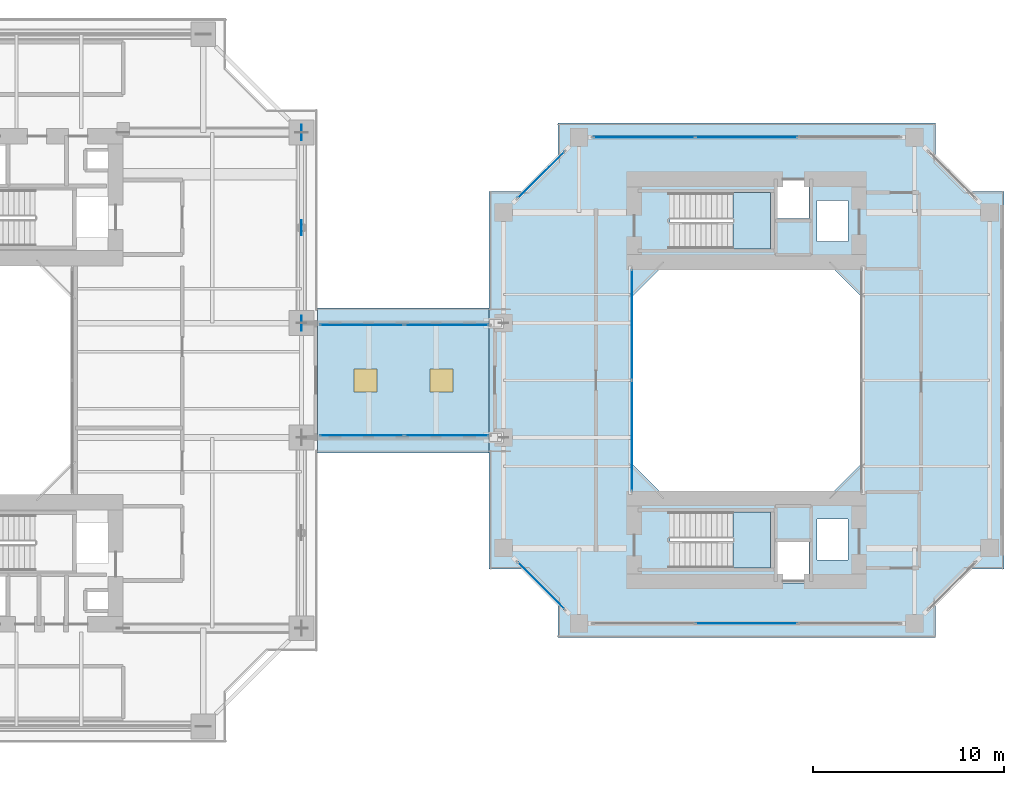
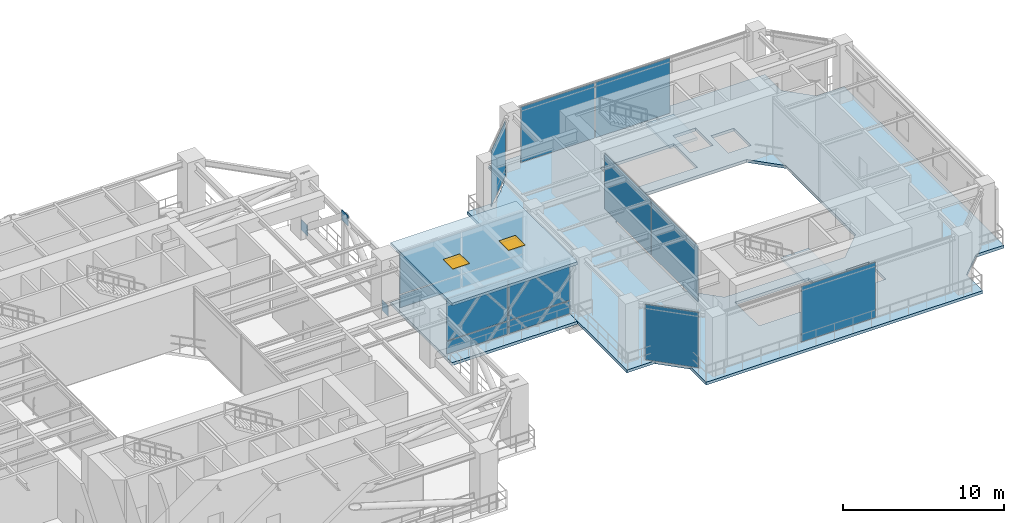
# One storey, part 12 of 26: 18 plates, 5 slabs, 2 windows, 2 openings, 9 elements without a shape of their own.
"""IFC4 building model written with IfcOpenShell, lengths in metres."""

from ifc_helpers import new_model, si_unit, direction, frame, origin, origin_2d, place, context, subcontext, project, spatial, polyline, rectangle, outline, extrude, source, transform, mapped, material, layer, layer_set, type_object, element, fill, aggregate, save


model = new_model("IFC4")

# Units and contexts
model_context = context("Model", 3, precision=1e-05, world=origin(), true_north=direction((0.0, 1.0)))
body_context = subcontext(model_context, "Body", "Model", "MODEL_VIEW")
ifc_project = project(units=[si_unit("LENGTHUNIT", "METRE"), si_unit("AREAUNIT", "SQUARE_METRE"), si_unit("VOLUMEUNIT", "CUBIC_METRE"), si_unit("PLANEANGLEUNIT", "RADIAN"), si_unit("MASSUNIT", "GRAM", prefix="KILO"), si_unit("THERMODYNAMICTEMPERATUREUNIT", "KELVIN"), si_unit("POWERUNIT", "WATT")], contexts=[model_context])

# Site, building, storey
site_placement = place(None, origin())
site = spatial("IfcSite", under=ifc_project, at=site_placement, CompositionType="ELEMENT")
building_placement = place(site_placement, origin())
building = spatial("IfcBuilding", under=site, at=building_placement, Name="Qiaomeng Ring Towers", CompositionType="ELEMENT")
storey_placement = place(building_placement, frame((0.0, 0.0, 45.75)))
storey = spatial("IfcBuildingStorey", under=building, at=storey_placement, Name="L12", CompositionType="ELEMENT", Elevation=45.75)

# Slabs
ifc_material_1 = material(Name="Concrete C40", Category="concrete")
ifc_layer_1 = layer(ifc_material_1, 0.219970703125, Name="Concrete C40")
ifc_layer_set_1 = layer_set([ifc_layer_1], Name="Concrete C40")
slab_type_1 = type_object("IfcSlabType", Name="STR-SL-220", PredefinedType="FLOOR", material=ifc_layer_set_1)
slab_1_placement = place(storey_placement, frame((0.0, 0.0, -0.219970703125)))
element("IfcSlab", 1, at=slab_1_placement, inside=storey, type_object=slab_type_1, Name="L12 Companion Tower 2 Annular Floor Slab", PredefinedType="FLOOR", context=body_context, shape_type="SweptSolid", body=[
    extrude(outline(polyline([(50.60009765625, 9.5), (70.39990234375, 9.5), (70.39990234375, 11.5), (72.0, 13.10009765625), (74.0, 13.10009765625), (74.0, 32.89990234375), (72.0, 32.89990234375), (70.39990234375, 34.5), (70.39990234375, 36.5), (50.60009765625, 36.5), (50.60009765625, 34.5), (49.0, 32.89990234375), (47.0, 32.89990234375), (47.0, 13.10009765625), (49.0, 13.10009765625), (50.60009765625, 11.5), (50.60009765625, 9.5)]), holes=[polyline([(62.1298828125, 12.3798828125), (62.1298828125, 14.52001953125), (63.77001953125, 14.52001953125), (63.77001953125, 12.3798828125), (62.1298828125, 12.3798828125)]), polyline([(56.47998046875, 13.159912109375), (56.47998046875, 16.10009765625), (61.75, 16.10009765625), (61.75, 13.159912109375), (56.47998046875, 13.159912109375)]), polyline([(64.179931640625, 13.580078125), (64.179931640625, 15.719970703125), (65.820068359375, 15.719970703125), (65.820068359375, 13.580078125), (64.179931640625, 13.580078125)]), polyline([(64.800048828125, 29.10009765625), (66.60009765625, 27.300048828125), (66.60009765625, 18.699951171875), (64.800048828125, 16.89990234375), (56.199951171875, 16.89990234375), (54.39990234375, 18.699951171875), (54.39990234375, 27.300048828125), (56.199951171875, 29.10009765625), (64.800048828125, 29.10009765625)]), polyline([(64.179931640625, 30.280029296875), (64.179931640625, 32.419921875), (65.820068359375, 32.419921875), (65.820068359375, 30.280029296875), (64.179931640625, 30.280029296875)]), polyline([(56.47998046875, 32.840087890625), (61.75, 32.840087890625), (61.75, 29.89990234375), (56.47998046875, 29.89990234375), (56.47998046875, 32.840087890625)]), polyline([(62.1298828125, 33.6201171875), (63.77001953125, 33.6201171875), (63.77001953125, 31.47998046875), (62.1298828125, 31.47998046875), (62.1298828125, 33.6201171875)])]), origin(), (0.0, 0.0, 1.0), 0.219970703125),
])
slab_2_placement = place(storey_placement, frame((0.0, 0.0, -0.219970703125)))
element("IfcSlab", 2, at=slab_2_placement, inside=storey, type_object=slab_type_1, Name="L12 Escape Skybridge Bridge SB1 Floor Slab", PredefinedType="FLOOR", context=body_context, shape_type="SweptSolid", body=[
    extrude(outline(polyline([(38.0, 19.199951171875), (46.989990234375, 19.199951171875), (46.989990234375, 26.800048828125), (38.0, 26.800048828125), (38.0, 19.199951171875)])), origin(), (0.0, 0.0, 1.0), 0.219970703125),
])

# Slab, openings, windows
slab_3_placement = place(storey_placement, frame((0.0, 0.0, 4.280029296875)))
slab_3 = element("IfcSlab", 3, at=slab_3_placement, inside=storey, type_object=slab_type_1, Name="L12 Escape Skybridge Bridge SB1 Canopy Slab", PredefinedType="FLOOR", context=body_context, shape_type="SweptSolid", body=[
    extrude(outline(polyline([(38.0, 19.199951171875), (46.989990234375, 19.199951171875), (46.989990234375, 26.800048828125), (38.0, 26.800048828125), (38.0, 19.199951171875)])), origin(), (0.0, 0.0, 1.0), 0.219970703125),
])
opening_1_placement = place(slab_3_placement, frame((40.5, 23.0, 0.0)))
opening_1 = element("IfcOpeningElement", 4, at=opening_1_placement, cuts=slab_3, Name="Opening SKY2", PredefinedType="OPENING", context=body_context, shape_type="SweptSolid", body=[
    extrude(rectangle(XDim=1.199951171875, YDim=1.199951171875, at=origin_2d()), frame((0.0, 0.0, -0.010009765625)), (0.0, 0.0, 1.0), 0.239990234375),
])
opening_2_placement = place(slab_3_placement, frame((44.5, 23.0, 0.0)))
opening_2 = element("IfcOpeningElement", 5, at=opening_2_placement, cuts=slab_3, Name="Opening SKY2", PredefinedType="OPENING", context=body_context, shape_type="SweptSolid", body=[
    extrude(rectangle(XDim=1.199951171875, YDim=1.199951171875, at=origin_2d()), frame((0.0, 0.0, -0.010009765625)), (0.0, 0.0, 1.0), 0.239990234375),
])
ifc_material_2 = material(Name="Low-E dark-grey laminated double glazing", Category="glass")
window_type = type_object("IfcWindowType", Name="ARC-SKY-2", PartitioningType="SINGLE_PANEL", PredefinedType="SKYLIGHT", material=ifc_material_2)
window_1_placement = place(opening_1_placement, frame((0.0, 0.0, 0.169921875)))
window_1 = element("IfcWindow", 6, at=window_1_placement, inside=storey, type_object=window_type, Name="Skybridge SB1 Daylight Skylight 1", OverallHeight=1.199951171875, OverallWidth=1.199951171875, PartitioningType="SINGLE_PANEL", PredefinedType="SKYLIGHT", context=body_context, shape_type="SweptSolid", body=[
    extrude(rectangle(XDim=1.199951171875, YDim=1.199951171875, at=origin_2d()), origin(), (0.0, 0.0, 1.0), 0.050048828125),
])
fill(opening_1, window_1)
window_2_placement = place(opening_2_placement, frame((0.0, 0.0, 0.169921875)))
window_2 = element("IfcWindow", 7, at=window_2_placement, inside=storey, type_object=window_type, Name="Skybridge SB1 Daylight Skylight 2", OverallHeight=1.199951171875, OverallWidth=1.199951171875, PartitioningType="SINGLE_PANEL", PredefinedType="SKYLIGHT", context=body_context, shape_type="SweptSolid", body=[
    extrude(rectangle(XDim=1.199951171875, YDim=1.199951171875, at=origin_2d()), origin(), (0.0, 0.0, 1.0), 0.050048828125),
])
fill(opening_2, window_2)

# Stair, slab
ifc_material_3 = material(Name="Precast concrete C40", Category="concrete")
stair_type = type_object("IfcStairType", Name="ARC-ST-450", PredefinedType="HALF_TURN_STAIR", material=ifc_material_3)
stair_1_placement = place(storey_placement, origin())
stair_1 = element("IfcStair", 8, at=stair_1_placement, inside=storey, type_object=stair_type, Name="L12 Companion North Stair 5", PredefinedType="HALF_TURN_STAIR")
ifc_layer_2 = layer(ifc_material_1, 0.199951171875, Name="Concrete C40")
ifc_layer_set_2 = layer_set([ifc_layer_2], Name="Concrete C40")
slab_type_2 = type_object("IfcSlabType", Name="STR-SL-LANDING", PredefinedType="LANDING", material=ifc_layer_set_2)
slab_4_placement = place(storey_placement, frame((0.0, 0.0, 2.050048828125)))
slab_4 = element("IfcSlab", 9, at=slab_4_placement, type_object=slab_type_2, Name="ST5 landing 1", PredefinedType="LANDING", context=body_context, shape_type="SweptSolid", body=[
    extrude(outline(polyline([(59.780029296875, 29.89990234375), (61.75, 29.89990234375), (61.75, 32.840087890625), (59.780029296875, 32.840087890625), (59.780029296875, 29.89990234375)])), origin(), (0.0, 0.0, 1.0), 0.199951171875),
])
aggregate(stair_1, [slab_4])

stair_2_placement = place(storey_placement, origin())
stair_2 = element("IfcStair", 10, at=stair_2_placement, inside=storey, type_object=stair_type, Name="L12 Companion South Stair 6", PredefinedType="HALF_TURN_STAIR")
slab_5_placement = place(storey_placement, frame((0.0, 0.0, 2.050048828125)))
slab_5 = element("IfcSlab", 11, at=slab_5_placement, type_object=slab_type_2, Name="ST6 landing 1", PredefinedType="LANDING", context=body_context, shape_type="SweptSolid", body=[
    extrude(outline(polyline([(59.780029296875, 13.159912109375), (61.75, 13.159912109375), (61.75, 16.10009765625), (59.780029296875, 16.10009765625), (59.780029296875, 13.159912109375)])), origin(), (0.0, 0.0, 1.0), 0.199951171875),
])
aggregate(stair_2, [slab_5])

# Plates
ifc_material_4 = material(Name="Steel Q390GJC", Category="steel")
ifc_layer_3 = layer(ifc_material_4, 0.031982421875, Name="Steel Q390GJC")
ifc_layer_set_3 = layer_set([ifc_layer_3], Name="Steel Q390GJC")
plate_type_1 = type_object("IfcPlateType", Name="STR-PL-GUSSET", PredefinedType="USERDEFINED", material=ifc_layer_set_3)
shared_shape_1 = source(origin(), body_context, "Body", "SweptSolid", [
    extrude(rectangle(XDim=0.800048828125, YDim=0.031982421875, at=origin_2d()), origin(), (0.0, 0.0, 1.0), 0.800048828125),
])
for number, where, z_axis, x_axis, name in (
    (12, (37.14990234375, 31.0, 3.72021484375), (0.0, 0.0, 1.0), (0.0, 1.0, 0.0), "L12 Belt Truss Node Gusset Plate 4-APX"),
    (13, (37.14990234375, 26.0, -0.080078125), (0.0, 0.0, 1.0), (0.0, 1.0, 0.0), "L12 Belt Truss Node Gusset Plate 4-N1"),
    (14, (37.14990234375, 36.0, -0.080078125), (0.0, 0.0, 1.0), (0.0, 1.0, 0.0), "L12 Belt Truss Node Gusset Plate 4-N2"),
):
    element("IfcPlate", number, at=place(storey_placement, frame(where, z_axis=z_axis, x_axis=x_axis)), inside=storey, type_object=plate_type_1, Name=name, ObjectType="GUSSET PLATE", PredefinedType="USERDEFINED", context=body_context, shape_type="MappedRepresentation", body=[
        mapped(shared_shape_1, transform((0.0, 0.0, 0.0), x_axis=(1.0, 0.0, 0.0), y_axis=(0.0, 1.0, 0.0), z_axis=(0.0, 0.0, 1.0), scale=1.0)),
    ])

# Curtain wall, plates
ifc_material_5 = material(Name="Fluorocarbon dark-grey aluminium", Category="aluminium")
ifc_layer_4 = layer(ifc_material_5, 0.139892578125, Name="Fluorocarbon dark-grey aluminium")
ifc_layer_set_4 = layer_set([ifc_layer_4], Name="Fluorocarbon dark-grey aluminium")
curtain_wall_type_1 = type_object("IfcCurtainWallType", Name="ARC-CW-4", PredefinedType="NOTDEFINED", material=ifc_layer_set_4)
curtain_wall_1_placement = place(storey_placement, origin())
curtain_wall_1 = element("IfcCurtainWall", 15, at=curtain_wall_1_placement, inside=storey, type_object=curtain_wall_type_1, Name="L12 Curtain Wall CW4", PredefinedType="NOTDEFINED")
ifc_layer_5 = layer(ifc_material_2, 0.028076171875, Name="Low-E dark-grey laminated double glazing")
ifc_layer_set_5 = layer_set([ifc_layer_5], Name="Low-E dark-grey laminated double glazing")
plate_type_2 = type_object("IfcPlateType", Name="ARC-CWP-DARK", PredefinedType="CURTAIN_PANEL", material=ifc_layer_set_5)
shared_shape_2 = source(origin(), body_context, "Body", "SweptSolid", [
    extrude(rectangle(XDim=5.75244140625, YDim=0.028076171875, at=origin_2d()), origin(), (0.0, 0.0, 1.0), 4.18994140625),
])
plate_1_placement = place(storey_placement, frame((54.47998046875, 20.09130859375, 0.06494140625), z_axis=(0.0, 0.0, 1.0), x_axis=(0.0, 1.0, 0.0)))
plate_1 = element("IfcPlate", 16, at=plate_1_placement, type_object=plate_type_2, Name="CW4 panel 1.1", PredefinedType="CURTAIN_PANEL", context=body_context, shape_type="MappedRepresentation", body=[
    mapped(shared_shape_2, transform((0.0, 0.0, 0.0), x_axis=(1.0, 0.0, 0.0), y_axis=(0.0, 1.0, 0.0), z_axis=(0.0, 0.0, 1.0), scale=1.0)),
])
plate_2_placement = place(storey_placement, frame((54.47998046875, 25.90869140625, 0.06494140625), z_axis=(0.0, 0.0, 1.0), x_axis=(0.0, 1.0, 0.0)))
plate_2 = element("IfcPlate", 17, at=plate_2_placement, type_object=plate_type_2, Name="CW4 panel 2.1", PredefinedType="CURTAIN_PANEL", context=body_context, shape_type="MappedRepresentation", body=[
    mapped(shared_shape_2, transform((0.0, 0.0, 0.0), x_axis=(1.0, 0.0, 0.0), y_axis=(0.0, 1.0, 0.0), z_axis=(0.0, 0.0, 1.0), scale=1.0)),
])
aggregate(curtain_wall_1, [plate_1, plate_2])

ifc_layer_6 = layer(ifc_material_5, 0.169921875, Name="Fluorocarbon dark-grey aluminium")
ifc_layer_set_6 = layer_set([ifc_layer_6], Name="Fluorocarbon dark-grey aluminium")
curtain_wall_type_2 = type_object("IfcCurtainWallType", Name="ARC-CW-6", PredefinedType="NOTDEFINED", material=ifc_layer_set_6)
curtain_wall_2_placement = place(storey_placement, origin())
curtain_wall_2 = element("IfcCurtainWall", 18, at=curtain_wall_2_placement, inside=storey, type_object=curtain_wall_type_2, Name="L12 Curtain Wall CW6", PredefinedType="NOTDEFINED")
ifc_material_6 = material(Name="Low-E pale-green laminated safety glass", Category="glass")
ifc_layer_7 = layer(ifc_material_6, 0.031982421875, Name="Low-E pale-green laminated safety glass")
ifc_layer_set_7 = layer_set([ifc_layer_7], Name="Low-E pale-green laminated safety glass")
plate_type_3 = type_object("IfcPlateType", Name="ARC-CWP-GREEN", PredefinedType="CURTAIN_PANEL", material=ifc_layer_set_7)
shared_shape_3 = source(origin(), body_context, "Body", "SweptSolid", [
    extrude(rectangle(XDim=4.37255859375, YDim=0.031982421875, at=origin_2d()), origin(), (0.0, 0.0, 1.0), 0.945068359375),
])
plate_3_placement = place(storey_placement, frame((40.316162109375, 20.10009765625, 0.06982421875), z_axis=(0.0, 0.0, 1.0), x_axis=(1.0, 0.0, 0.0)))
plate_3 = element("IfcPlate", 19, at=plate_3_placement, type_object=plate_type_3, Name="CW6 panel 1.1", PredefinedType="CURTAIN_PANEL", context=body_context, shape_type="MappedRepresentation", body=[
    mapped(shared_shape_3, transform((0.0, 0.0, 0.0), x_axis=(1.0, 0.0, 0.0), y_axis=(0.0, 1.0, 0.0), z_axis=(0.0, 0.0, 1.0), scale=1.0)),
])
plate_4_placement = place(storey_placement, frame((44.768798828125, 20.10009765625, 0.06982421875), z_axis=(0.0, 0.0, 1.0), x_axis=(1.0, 0.0, 0.0)))
plate_4 = element("IfcPlate", 20, at=plate_4_placement, type_object=plate_type_3, Name="CW6 panel 2.1", PredefinedType="CURTAIN_PANEL", context=body_context, shape_type="MappedRepresentation", body=[
    mapped(shared_shape_3, transform((0.0, 0.0, 0.0), x_axis=(1.0, 0.0, 0.0), y_axis=(0.0, 1.0, 0.0), z_axis=(0.0, 0.0, 1.0), scale=1.0)),
])

curtain_wall_3_placement = place(storey_placement, origin())
curtain_wall_3 = element("IfcCurtainWall", 21, at=curtain_wall_3_placement, inside=storey, type_object=curtain_wall_type_2, Name="L12 Curtain Wall CW6", PredefinedType="NOTDEFINED")
plate_5_placement = place(storey_placement, frame((40.316162109375, 25.89990234375, 0.06982421875), z_axis=(0.0, 0.0, 1.0), x_axis=(1.0, 0.0, 0.0)))
plate_5 = element("IfcPlate", 22, at=plate_5_placement, type_object=plate_type_3, Name="CW6 panel 1.1", PredefinedType="CURTAIN_PANEL", context=body_context, shape_type="MappedRepresentation", body=[
    mapped(shared_shape_3, transform((0.0, 0.0, 0.0), x_axis=(1.0, 0.0, 0.0), y_axis=(0.0, 1.0, 0.0), z_axis=(0.0, 0.0, 1.0), scale=1.0)),
])
plate_6_placement = place(storey_placement, frame((44.768798828125, 25.89990234375, 0.06982421875), z_axis=(0.0, 0.0, 1.0), x_axis=(1.0, 0.0, 0.0)))
plate_6 = element("IfcPlate", 23, at=plate_6_placement, type_object=plate_type_3, Name="CW6 panel 2.1", PredefinedType="CURTAIN_PANEL", context=body_context, shape_type="MappedRepresentation", body=[
    mapped(shared_shape_3, transform((0.0, 0.0, 0.0), x_axis=(1.0, 0.0, 0.0), y_axis=(0.0, 1.0, 0.0), z_axis=(0.0, 0.0, 1.0), scale=1.0)),
])

# Plate
shared_shape_4 = source(origin(), body_context, "Body", "SweptSolid", [
    extrude(rectangle(XDim=4.37255859375, YDim=0.031982421875, at=origin_2d()), origin(), (0.0, 0.0, 1.0), 3.125),
])
plate_7_placement = place(storey_placement, frame((40.316162109375, 20.10009765625, 1.0849609375), z_axis=(0.0, 0.0, 1.0), x_axis=(1.0, 0.0, 0.0)))
plate_7 = element("IfcPlate", 24, at=plate_7_placement, type_object=plate_type_3, Name="CW6 panel 1.2", PredefinedType="CURTAIN_PANEL", context=body_context, shape_type="MappedRepresentation", body=[
    mapped(shared_shape_4, transform((0.0, 0.0, 0.0), x_axis=(1.0, 0.0, 0.0), y_axis=(0.0, 1.0, 0.0), z_axis=(0.0, 0.0, 1.0), scale=1.0)),
])

plate_8_placement = place(storey_placement, frame((44.768798828125, 20.10009765625, 1.0849609375), z_axis=(0.0, 0.0, 1.0), x_axis=(1.0, 0.0, 0.0)))
plate_8 = element("IfcPlate", 25, at=plate_8_placement, type_object=plate_type_3, Name="CW6 panel 2.2", PredefinedType="CURTAIN_PANEL", context=body_context, shape_type="MappedRepresentation", body=[
    mapped(shared_shape_4, transform((0.0, 0.0, 0.0), x_axis=(1.0, 0.0, 0.0), y_axis=(0.0, 1.0, 0.0), z_axis=(0.0, 0.0, 1.0), scale=1.0)),
])

aggregate(curtain_wall_2, [plate_3, plate_7, plate_4, plate_8])

plate_9_placement = place(storey_placement, frame((40.316162109375, 25.89990234375, 1.0849609375), z_axis=(0.0, 0.0, 1.0), x_axis=(1.0, 0.0, 0.0)))
plate_9 = element("IfcPlate", 26, at=plate_9_placement, type_object=plate_type_3, Name="CW6 panel 1.2", PredefinedType="CURTAIN_PANEL", context=body_context, shape_type="MappedRepresentation", body=[
    mapped(shared_shape_4, transform((0.0, 0.0, 0.0), x_axis=(1.0, 0.0, 0.0), y_axis=(0.0, 1.0, 0.0), z_axis=(0.0, 0.0, 1.0), scale=1.0)),
])

plate_10_placement = place(storey_placement, frame((44.768798828125, 25.89990234375, 1.0849609375), z_axis=(0.0, 0.0, 1.0), x_axis=(1.0, 0.0, 0.0)))
plate_10 = element("IfcPlate", 27, at=plate_10_placement, type_object=plate_type_3, Name="CW6 panel 2.2", PredefinedType="CURTAIN_PANEL", context=body_context, shape_type="MappedRepresentation", body=[
    mapped(shared_shape_4, transform((0.0, 0.0, 0.0), x_axis=(1.0, 0.0, 0.0), y_axis=(0.0, 1.0, 0.0), z_axis=(0.0, 0.0, 1.0), scale=1.0)),
])

aggregate(curtain_wall_3, [plate_5, plate_9, plate_6, plate_10])

# Curtain wall, plates
ifc_layer_8 = layer(ifc_material_5, 0.14990234375, Name="Fluorocarbon dark-grey aluminium")
ifc_layer_set_8 = layer_set([ifc_layer_8], Name="Fluorocarbon dark-grey aluminium")
curtain_wall_type_3 = type_object("IfcCurtainWallType", Name="ARC-CW-5", PredefinedType="NOTDEFINED", material=ifc_layer_set_8)
curtain_wall_4_placement = place(storey_placement, origin())
curtain_wall_4 = element("IfcCurtainWall", 28, at=curtain_wall_4_placement, inside=storey, type_object=curtain_wall_type_3, Name="L12 Curtain Wall CW5", PredefinedType="NOTDEFINED")
shared_shape_5 = source(origin(), body_context, "Body", "SweptSolid", [
    extrude(rectangle(XDim=5.284912109375, YDim=0.028076171875, at=origin_2d()), origin(), (0.0, 0.0, 1.0), 4.18994140625),
])
plate_11_placement = place(storey_placement, frame((55.12744140625, 35.75, 0.06494140625), z_axis=(0.0, 0.0, 1.0), x_axis=(1.0, 0.0, 0.0)))
plate_11 = element("IfcPlate", 29, at=plate_11_placement, type_object=plate_type_2, Name="CW5 panel 1.1", PredefinedType="CURTAIN_PANEL", context=body_context, shape_type="MappedRepresentation", body=[
    mapped(shared_shape_5, transform((0.0, 0.0, 0.0), x_axis=(1.0, 0.0, 0.0), y_axis=(0.0, 1.0, 0.0), z_axis=(0.0, 0.0, 1.0), scale=1.0)),
])
shared_shape_6 = source(origin(), body_context, "Body", "SweptSolid", [
    extrude(rectangle(XDim=5.320068359375, YDim=0.028076171875, at=origin_2d()), origin(), (0.0, 0.0, 1.0), 4.18994140625),
])
plate_12_placement = place(storey_placement, frame((60.5, 35.75, 0.06494140625), z_axis=(0.0, 0.0, 1.0), x_axis=(1.0, 0.0, 0.0)))
plate_12 = element("IfcPlate", 30, at=plate_12_placement, type_object=plate_type_2, Name="CW5 panel 2.1", PredefinedType="CURTAIN_PANEL", context=body_context, shape_type="MappedRepresentation", body=[
    mapped(shared_shape_6, transform((0.0, 0.0, 0.0), x_axis=(1.0, 0.0, 0.0), y_axis=(0.0, 1.0, 0.0), z_axis=(0.0, 0.0, 1.0), scale=1.0)),
])
aggregate(curtain_wall_4, [plate_11, plate_12])

# Curtain wall, plate
curtain_wall_5_placement = place(storey_placement, origin())
curtain_wall_5 = element("IfcCurtainWall", 31, at=curtain_wall_5_placement, inside=storey, type_object=curtain_wall_type_3, Name="L12 Curtain Wall CW5", PredefinedType="NOTDEFINED")
plate_13_placement = place(storey_placement, frame((60.5, 10.25, 0.06494140625), z_axis=(0.0, 0.0, 1.0), x_axis=(1.0, 0.0, 0.0)))
plate_13 = element("IfcPlate", 32, at=plate_13_placement, type_object=plate_type_2, Name="CW5 panel 2.1", PredefinedType="CURTAIN_PANEL", context=body_context, shape_type="MappedRepresentation", body=[
    mapped(shared_shape_6, transform((0.0, 0.0, 0.0), x_axis=(1.0, 0.0, 0.0), y_axis=(0.0, 1.0, 0.0), z_axis=(0.0, 0.0, 1.0), scale=1.0)),
])
aggregate(curtain_wall_5, [plate_13])

curtain_wall_6_placement = place(storey_placement, origin())
curtain_wall_6 = element("IfcCurtainWall", 33, at=curtain_wall_6_placement, inside=storey, type_object=curtain_wall_type_3, Name="L12 Curtain Wall CW5", PredefinedType="NOTDEFINED")
shared_shape_7 = source(origin(), body_context, "Body", "SweptSolid", [
    extrude(rectangle(XDim=3.423828125, YDim=0.028076171875, at=origin_2d()), origin(), (0.0, 0.0, 1.0), 4.18994140625),
])
plate_14_placement = place(storey_placement, frame((49.72509765625, 33.77490234375, 0.06494140625), z_axis=(0.0, 0.0, 1.0), x_axis=(-0.707106781187, -0.707106781187, 0.0)))
plate_14 = element("IfcPlate", 34, at=plate_14_placement, type_object=plate_type_2, Name="CW5 panel 1.1", PredefinedType="CURTAIN_PANEL", context=body_context, shape_type="MappedRepresentation", body=[
    mapped(shared_shape_7, transform((0.0, 0.0, 0.0), x_axis=(1.0, 0.0, 0.0), y_axis=(0.0, 1.0, 0.0), z_axis=(0.0, 0.0, 1.0), scale=1.0)),
])
aggregate(curtain_wall_6, [plate_14])

curtain_wall_7_placement = place(storey_placement, origin())
curtain_wall_7 = element("IfcCurtainWall", 35, at=curtain_wall_7_placement, inside=storey, type_object=curtain_wall_type_3, Name="L12 Curtain Wall CW5", PredefinedType="NOTDEFINED")
plate_15_placement = place(storey_placement, frame((49.72509765625, 12.22509765625, 0.06494140625), z_axis=(0.0, 0.0, 1.0), x_axis=(0.707106781187, -0.707106781187, 0.0)))
plate_15 = element("IfcPlate", 36, at=plate_15_placement, type_object=plate_type_2, Name="CW5 panel 1.1", PredefinedType="CURTAIN_PANEL", context=body_context, shape_type="MappedRepresentation", body=[
    mapped(shared_shape_7, transform((0.0, 0.0, 0.0), x_axis=(1.0, 0.0, 0.0), y_axis=(0.0, 1.0, 0.0), z_axis=(0.0, 0.0, 1.0), scale=1.0)),
])
aggregate(curtain_wall_7, [plate_15])

save(model, "model.ifc")
